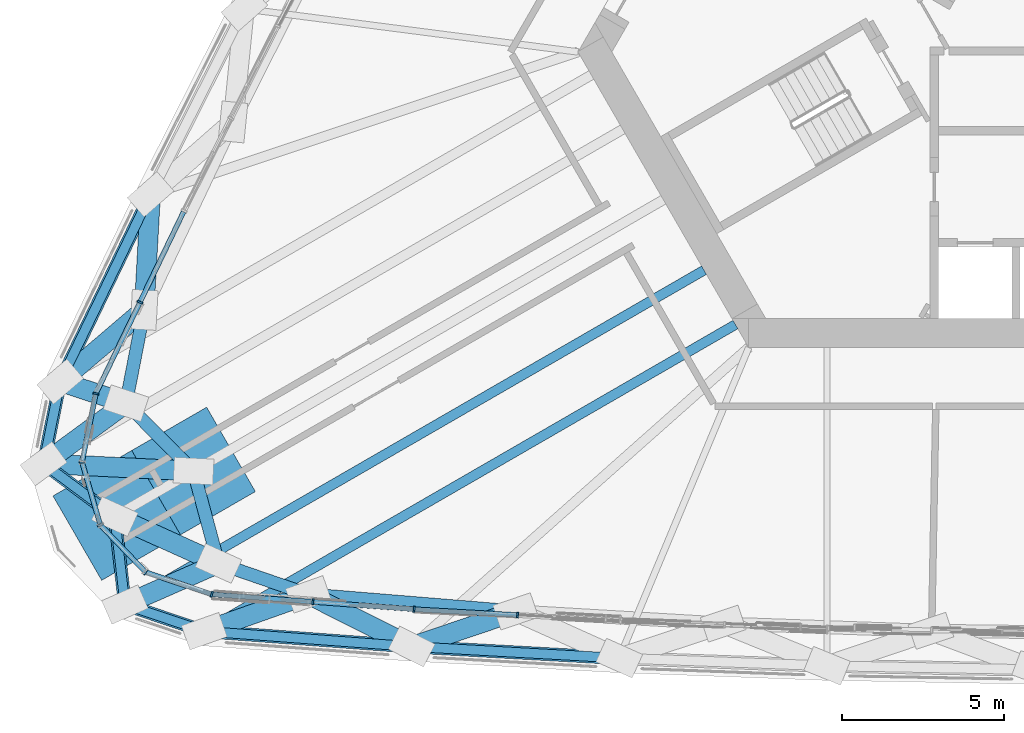
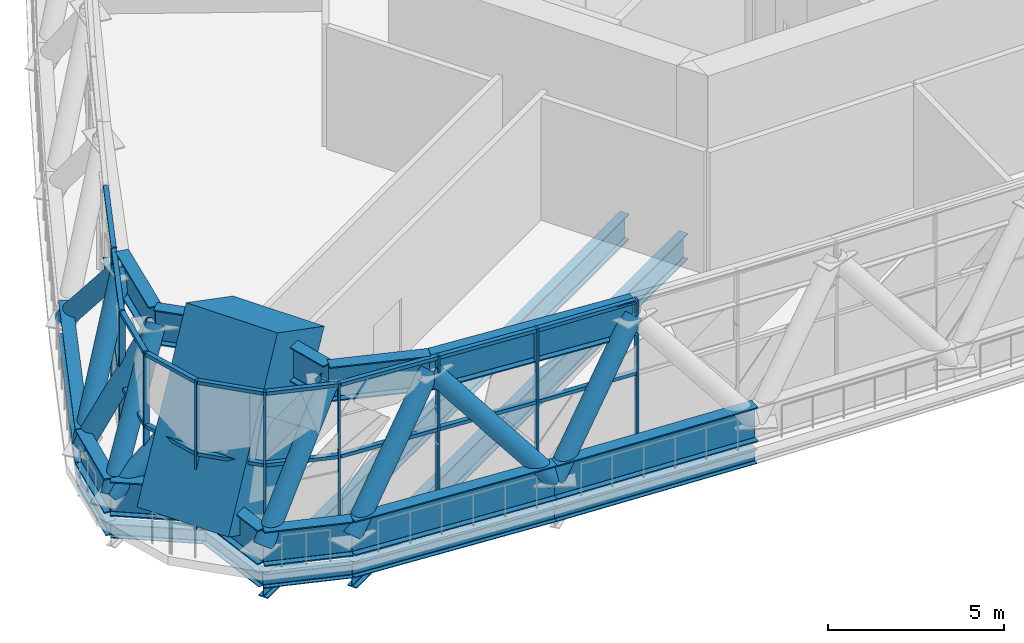
# One storey, part 1 of 43: 50 members, 9 beams, 3 elements without a shape of their own.
"""IFC4 building model written with IfcOpenShell, lengths in metres."""

import ifcopenshell
import ifcopenshell.guid

model = None  # the IFC model being written
_history = None  # IfcOwnerHistory: only IFC2X3 demands one
_inside = {}  # id of a spatial element -> (the spatial element, [elements in it])
_under = {}  # id of a project, library or spatial element -> (it, [spatial elements below it])
_declared = {}  # id of a project -> (the project, [libraries it declares])
_typed = {}  # id of a type object -> (the type object, [elements of that type])
_made_of = {}  # id of a material, layer set ... -> (it, [elements and type objects made of it])


def new_model(schema):
    """Start an empty IFC model of exactly this schema.

    Asked for "IFC4X3", IfcOpenShell would pick the latest addendum, in which some entities
    have other attributes; the version numbers below select the first issue.
    IFC2X3 requires an IfcOwnerHistory on every rooted entity: one is made here for all.
    """
    global model, _history
    if schema == "IFC4X3":
        model = ifcopenshell.file(schema_version=(4, 3, 0, 0))
    else:
        model = ifcopenshell.file(schema=schema)
    _inside.clear()
    _under.clear()
    _declared.clear()
    _typed.clear()
    _made_of.clear()
    _history = None
    if model.schema == "IFC2X3":
        org = make("IfcOrganization", Name="unknown")
        user = make(
            "IfcPersonAndOrganization",
            ThePerson=make("IfcPerson", FamilyName="unknown"),
            TheOrganization=org,
        )
        app = make(
            "IfcApplication",
            ApplicationDeveloper=org,
            Version="unknown",
            ApplicationFullName="unknown",
            ApplicationIdentifier="unknown",
        )
        _history = make(
            "IfcOwnerHistory",
            OwningUser=user,
            OwningApplication=app,
            ChangeAction="ADDED",
            CreationDate=0,
        )
    return model


def make(cls, **values):
    """One entity of the class cls with the attributes given. An attribute that is None is left unset."""
    return model.create_entity(
        cls, **{name: value for name, value in values.items() if value is not None}
    )


def rooted(cls, **values):
    """An entity with a GlobalId (a new one), such as an element, a storey or a relation."""
    return make(cls, GlobalId=ifcopenshell.guid.new(), OwnerHistory=_history, **values)


def si_unit(unit_type, name, prefix=None):
    """IfcSIUnit, for example si_unit("LENGTHUNIT", "METRE", prefix="MILLI")."""
    return make("IfcSIUnit", UnitType=unit_type, Prefix=prefix, Name=name)


def assignment(units):
    """IfcUnitAssignment: the units of a project."""
    return None if units is None else make("IfcUnitAssignment", Units=units)


def point(xyz):
    """IfcCartesianPoint."""
    return None if xyz is None else make("IfcCartesianPoint", Coordinates=xyz)


def direction(xyz):
    """IfcDirection."""
    return None if xyz is None else make("IfcDirection", DirectionRatios=xyz)


def frame(location, z_axis=None, x_axis=None):
    """IfcAxis2Placement3D, a coordinate frame: its origin and axes. An axis left out is left unset."""
    return make(
        "IfcAxis2Placement3D",
        Location=point(location),
        Axis=direction(z_axis),
        RefDirection=direction(x_axis),
    )


def frame_2d(location, x_axis=None):
    """IfcAxis2Placement2D, a coordinate frame in the plane: its origin and x axis."""
    return make(
        "IfcAxis2Placement2D", Location=point(location), RefDirection=direction(x_axis)
    )


def origin():
    """The frame at (0, 0, 0) with its axes left unset."""
    return frame((0.0, 0.0, 0.0))


def origin_2d():
    """The frame at (0, 0) in the plane with its x axis left unset."""
    return frame_2d((0.0, 0.0))


def place(relative_to, where):
    """IfcLocalPlacement: puts the frame where relative to a parent placement (None: the world)."""
    return make(
        "IfcLocalPlacement", PlacementRelTo=relative_to, RelativePlacement=where
    )


def context(
    kind, dimensions, precision=None, world=None, true_north=None, identifier=None
):
    """IfcGeometricRepresentationContext, for example the 3D "Model" context."""
    return make(
        "IfcGeometricRepresentationContext",
        ContextIdentifier=identifier,
        ContextType=kind,
        CoordinateSpaceDimension=dimensions,
        Precision=precision,
        WorldCoordinateSystem=world,
        TrueNorth=true_north,
    )


def subcontext(parent, identifier, kind, view, scale=None):
    """IfcGeometricRepresentationSubContext, for example "Body" below "Model"."""
    return make(
        "IfcGeometricRepresentationSubContext",
        ContextIdentifier=identifier,
        ContextType=kind,
        ParentContext=parent,
        TargetScale=scale,
        TargetView=view,
    )


def project(units=None, contexts=None):
    """IfcProject with its units and contexts."""
    return rooted(
        "IfcProject",
        Name="project",
        RepresentationContexts=contexts,
        UnitsInContext=assignment(units),
    )


def spatial(cls, under=None, at=None, **own):
    """A site, building, storey or space (cls), placed at a placement, below another one or the project."""
    s = rooted(cls, ObjectPlacement=at, **own)
    if under is not None:
        _under.setdefault(under.id(), (under, []))[1].append(s)
    return s


def profile(cls, at=None, kind="AREA", **sizes):
    """A parametric profile (cls). Its sizes go by their IFC names, for example OverallWidth=200.0."""
    return make(cls, ProfileType=kind, Position=at, **sizes)


def rectangle(**sizes):
    """IfcRectangleProfileDef."""
    return profile("IfcRectangleProfileDef", **sizes)


def hollow_circle(**sizes):
    """IfcCircleHollowProfileDef."""
    return profile("IfcCircleHollowProfileDef", **sizes)


def i_section(**sizes):
    """IfcIShapeProfileDef."""
    return profile("IfcIShapeProfileDef", **sizes)


def extrude(swept, where, along, depth):
    """IfcExtrudedAreaSolid: the profile swept, set in the frame where, extruded along a direction by depth."""
    return make(
        "IfcExtrudedAreaSolid",
        SweptArea=swept,
        Position=where,
        ExtrudedDirection=direction(along),
        Depth=depth,
    )


def shape(context_of_items, identifier, shape_type, items):
    """IfcShapeRepresentation: the items that make up one representation, for example the "Body"."""
    return make(
        "IfcShapeRepresentation",
        ContextOfItems=context_of_items,
        RepresentationIdentifier=identifier,
        RepresentationType=shape_type,
        Items=items,
    )


def material(Name=None, Category=None):
    """IfcMaterial."""
    return make("IfcMaterial", Name=Name, Category=Category)


def material_profile(
    of_material, cross_section, Name=None, Category=None, Priority=None
):
    """IfcMaterialProfile: a cross section and its material."""
    return make(
        "IfcMaterialProfile",
        Name=Name,
        Material=of_material,
        Profile=cross_section,
        Priority=Priority,
        Category=Category,
    )


def profile_set(profiles, Name=None, composite=None):
    """IfcMaterialProfileSet."""
    return make(
        "IfcMaterialProfileSet",
        Name=Name,
        MaterialProfiles=profiles,
        CompositeProfile=composite,
    )


def made_of(thing, what):
    """Note that an element or type object is made of a material, layer set ...; save() writes the relation."""
    if what is not None:
        _made_of.setdefault(what.id(), (what, []))[1].append(thing)
    return thing


def type_object(cls, material=None, **own):
    """A type object (cls), such as IfcWallType, which elements share."""
    return made_of(rooted(cls, **own), material)


def element(
    cls,
    number,
    at=None,
    inside=None,
    cuts=None,
    type_object=None,
    material=None,
    context=None,
    identifier="Body",
    shape_type=None,
    held_by="IfcProductDefinitionShape",
    body=None,
    shapes=None,
    **own,
):
    """One element of the class cls, such as IfcWall. Its Tag is "e" and its number.

    at: its placement. inside: the storey or other place that contains it. cuts: it is an
    opening in that element (IfcRelVoidsElement). A single representation is given by context,
    identifier, shape_type and body (its items); several are given by shapes. held_by: the class
    of the entity that holds the representations. save() writes the other relations.
    """
    e = rooted(cls, Tag="e%d" % number, ObjectPlacement=at, **own)
    if body is not None:
        shapes = [shape(context, identifier, shape_type, body)]
    if shapes is not None:
        e.Representation = make(held_by, Representations=shapes)
    if inside is not None:
        _inside.setdefault(inside.id(), (inside, []))[1].append(e)
    if cuts is not None:
        rooted(
            "IfcRelVoidsElement", RelatingBuildingElement=cuts, RelatedOpeningElement=e
        )
    if type_object is not None:
        _typed.setdefault(type_object.id(), (type_object, []))[1].append(e)
    return made_of(e, material)


def aggregate(whole, parts):
    """IfcRelAggregates: a whole, such as a stair, and the parts it consists of."""
    return rooted("IfcRelAggregates", RelatingObject=whole, RelatedObjects=parts)


def save(model, path):
    """Write the relations noted so far, then the file.

    IfcRelAggregates (storeys below a building ...), IfcRelContainedInSpatialStructure (elements
    in a storey), IfcRelDefinesByType, IfcRelAssociatesMaterial and IfcRelDeclares: one each for
    every whole, place, type object, material and project.
    """
    for whole, parts in _under.values():
        aggregate(whole, parts)
    for where, things in _inside.values():
        rooted(
            "IfcRelContainedInSpatialStructure",
            RelatedElements=things,
            RelatingStructure=where,
        )
    for kind, things in _typed.values():
        rooted("IfcRelDefinesByType", RelatedObjects=things, RelatingType=kind)
    for what, things in _made_of.values():
        rooted("IfcRelAssociatesMaterial", RelatedObjects=things, RelatingMaterial=what)
    for by, libraries in _declared.values():
        rooted("IfcRelDeclares", RelatingContext=by, RelatedDefinitions=libraries)
    model.write(path)


model = new_model("IFC4")

# Units and contexts
model_context = context("Model", 3, precision=1e-05, world=origin(), true_north=direction((0.0, 1.0)))
body_context = subcontext(model_context, "Body", "Model", "MODEL_VIEW")
ifc_project = project(units=[si_unit("LENGTHUNIT", "METRE"), si_unit("AREAUNIT", "SQUARE_METRE"), si_unit("VOLUMEUNIT", "CUBIC_METRE"), si_unit("PLANEANGLEUNIT", "RADIAN"), si_unit("MASSUNIT", "GRAM", prefix="KILO")], contexts=[model_context])

# Site, building, storey
site_placement = place(None, origin())
site = spatial("IfcSite", under=ifc_project, at=site_placement, CompositionType="ELEMENT")
building_placement = place(site_placement, origin())
building = spatial("IfcBuilding", under=site, at=building_placement, Name="Mestral Congress Tower", CompositionType="ELEMENT")
storey_placement = place(building_placement, frame((0.0, 0.0, 78.300048828125)))
storey = spatial("IfcBuildingStorey", under=building, at=storey_placement, Name="L18", CompositionType="ELEMENT", Elevation=78.300048828125)

# Members
ifc_material_1 = material(Name="Steel S355", Category="steel")
ifc_material_profile_1 = material_profile(ifc_material_1, i_section(OverallWidth=0.39990234375, OverallDepth=1.199951171875, WebThickness=0.02001953125, FlangeThickness=0.0400390625, FilletRadius=0.010009765625, at=origin_2d()), Name="WPG 1200")
ifc_profile_set_1 = profile_set([ifc_material_profile_1], Name="Steel S355")
member_type_1 = type_object("IfcMemberType", Name="Belt chord WPG 1200 S355", PredefinedType="CHORD", material=ifc_profile_set_1)
for number, where, z_axis, x_axis, name in (
    (1, (-28.766845703125, -21.730712890625, 0.599853515625), (0.997266192922, -0.073892763204, 0.0), (0.073892763204, 0.997266192922, 0.0), "MB-L18-BC1-S00"),
    (2, (-22.384521484375, -22.20361328125, 0.599853515625), (0.998462699826, -0.055427764302, 0.0), (0.055427764302, 0.998462699826, 0.0), "MB-L18-BC1-S01"),
    (3, (-30.421142578125, -8.28369140625, 0.599853515625), (-0.434657317293, -0.900595923, 0.0), (0.900595923, -0.434657317293, 0.0), "MB-L18-BC1-W08"),
):
    element("IfcMember", number, at=place(storey_placement, frame(where, z_axis=z_axis, x_axis=x_axis)), inside=storey, type_object=member_type_1, Name=name, PredefinedType="CHORD", context=body_context, shape_type="SweptSolid", body=[
        extrude(i_section(OverallWidth=0.39990234375, OverallDepth=1.199951171875, WebThickness=0.02001953125, FlangeThickness=0.0400390625, FilletRadius=0.010009765625, at=origin_2d()), origin(), (0.0, 0.0, 1.0), 6.39990234375),
    ])
member_1_placement = place(storey_placement, frame((-33.202880859375, -14.04736328125, 0.599853515625), z_axis=(-0.198046458429, -0.980192634283, 0.0), x_axis=(0.980192634283, -0.198046458429, 0.0)))
element("IfcMember", 4, at=member_1_placement, inside=storey, type_object=member_type_1, Name="MB-L18-BC1-W09", PredefinedType="CHORD", context=body_context, shape_type="SweptSolid", body=[
    extrude(i_section(OverallWidth=0.39990234375, OverallDepth=1.199951171875, WebThickness=0.02001953125, FlangeThickness=0.0400390625, FilletRadius=0.010009765625, at=origin_2d()), origin(), (0.0, 0.0, 1.0), 2.57763671875),
])
for number, where, z_axis, x_axis, name in (
    (5, (-33.71337890625, -16.573974609375, 0.599853515625), (0.803103553896, -0.59583947647, 0.0), (0.59583947647, 0.803103553896, 0.0), "MB-L18-BC1-SW1"),
    (6, (-31.5224609375, -18.199462890625, 0.599853515625), (0.114457668102, -0.993428126345, 0.0), (0.993428126345, 0.114457668102, 0.0), "MB-L18-BC1-SW"),
):
    element("IfcMember", number, at=place(storey_placement, frame(where, z_axis=z_axis, x_axis=x_axis)), inside=storey, type_object=member_type_1, Name=name, PredefinedType="CHORD", context=body_context, shape_type="SweptSolid", body=[
        extrude(i_section(OverallWidth=0.39990234375, OverallDepth=1.199951171875, WebThickness=0.02001953125, FlangeThickness=0.0400390625, FilletRadius=0.010009765625, at=origin_2d()), origin(), (0.0, 0.0, 1.0), 2.72802734375),
    ])
member_2_placement = place(storey_placement, frame((-31.210205078125, -20.90966796875, 0.599853515625), z_axis=(0.947913310096, -0.318528423446, 0.0), x_axis=(0.318528423446, 0.947913310096, 0.0)))
element("IfcMember", 7, at=member_2_placement, inside=storey, type_object=member_type_1, Name="MB-L18-BC1-SW3", PredefinedType="CHORD", context=body_context, shape_type="SweptSolid", body=[
    extrude(i_section(OverallWidth=0.39990234375, OverallDepth=1.199951171875, WebThickness=0.02001953125, FlangeThickness=0.0400390625, FilletRadius=0.010009765625, at=origin_2d()), origin(), (0.0, 0.0, 1.0), 2.57763671875),
])
member_3_placement = place(storey_placement, frame((-25.562744140625, -20.59716796875, 4.550048828125), z_axis=(0.996652784164, -0.081751011118, 0.0), x_axis=(0.081751011118, 0.996652784164, 0.0)))
element("IfcMember", 8, at=member_3_placement, inside=storey, type_object=member_type_1, Name="MB-L18-TC1-S00", PredefinedType="CHORD", context=body_context, shape_type="SweptSolid", body=[
    extrude(i_section(OverallWidth=0.39990234375, OverallDepth=1.199951171875, WebThickness=0.02001953125, FlangeThickness=0.0400390625, FilletRadius=0.010009765625, at=origin_2d()), origin(), (0.0, 0.0, 1.0), 6.39990234375),
])
member_4_placement = place(storey_placement, frame((-30.618896484375, -11.83935546875, 4.550048828125), z_axis=(-0.190501452066, -0.981686913818, 0.0), x_axis=(0.981686913818, -0.190501452066, 0.0)))
element("IfcMember", 9, at=member_4_placement, inside=storey, type_object=member_type_1, Name="MB-L18-TC1-W08", PredefinedType="CHORD", context=body_context, shape_type="SweptSolid", body=[
    extrude(i_section(OverallWidth=0.39990234375, OverallDepth=1.199951171875, WebThickness=0.02001953125, FlangeThickness=0.0400390625, FilletRadius=0.010009765625, at=origin_2d()), origin(), (0.0, 0.0, 1.0), 2.928466796875),
])
member_5_placement = place(storey_placement, frame((-31.1767578125, -14.714111328125, 4.550048828125), z_axis=(0.706152774218, -0.708059502771, 0.0), x_axis=(0.708059502771, 0.706152774218, 0.0)))
element("IfcMember", 10, at=member_5_placement, inside=storey, type_object=member_type_1, Name="MB-L18-TC1-SW1", PredefinedType="CHORD", context=body_context, shape_type="SweptSolid", body=[
    extrude(i_section(OverallWidth=0.39990234375, OverallDepth=1.199951171875, WebThickness=0.02001953125, FlangeThickness=0.0400390625, FilletRadius=0.010009765625, at=origin_2d()), origin(), (0.0, 0.0, 1.0), 2.945068359375),
])
member_6_placement = place(storey_placement, frame((-29.09716796875, -16.79931640625, 4.550048828125), z_axis=(0.260071585357, -0.96558933843, 0.0), x_axis=(0.96558933843, 0.260071585357, 0.0)))
element("IfcMember", 11, at=member_6_placement, inside=storey, type_object=member_type_1, Name="MB-L18-TC1-SW", PredefinedType="CHORD", context=body_context, shape_type="SweptSolid", body=[
    extrude(i_section(OverallWidth=0.39990234375, OverallDepth=1.199951171875, WebThickness=0.02001953125, FlangeThickness=0.0400390625, FilletRadius=0.010009765625, at=origin_2d()), origin(), (0.0, 0.0, 1.0), 2.94482421875),
])
member_7_placement = place(storey_placement, frame((-28.331298828125, -19.642822265625, 4.550048828125), z_axis=(0.945407528936, -0.32589047889, 0.0), x_axis=(0.32589047889, 0.945407528936, 0.0)))
element("IfcMember", 12, at=member_7_placement, inside=storey, type_object=member_type_1, Name="MB-L18-TC1-SW3", PredefinedType="CHORD", context=body_context, shape_type="SweptSolid", body=[
    extrude(i_section(OverallWidth=0.39990234375, OverallDepth=1.199951171875, WebThickness=0.02001953125, FlangeThickness=0.0400390625, FilletRadius=0.010009765625, at=origin_2d()), origin(), (0.0, 0.0, 1.0), 2.928466796875),
])
ifc_material_profile_2 = material_profile(ifc_material_1, hollow_circle(Radius=0.304931640625, WallThickness=0.02490234375, at=origin_2d()), Name="CHS 610x25")
ifc_profile_set_2 = profile_set([ifc_material_profile_2], Name="Steel S355")
member_type_2 = type_object("IfcMemberType", Name="Belt diagonal CHS 610x25 S355", PredefinedType="BRACE", material=ifc_profile_set_2)
member_8_placement = place(storey_placement, frame((-28.766845703125, -21.730712890625, 0.599853515625), z_axis=(0.614864613856, 0.217526394554, 0.758039427932), x_axis=(-0.33352266691, 0.942742080665, 0.0)))
element("IfcMember", 13, at=member_8_placement, inside=storey, type_object=member_type_2, Name="MD-L18-BD1-S00.S00", PredefinedType="BRACE", context=body_context, shape_type="SweptSolid", body=[
    extrude(hollow_circle(Radius=0.304931640625, WallThickness=0.02490234375, at=origin_2d()), origin(), (0.0, 0.0, 1.0), 5.211181640625),
])
member_9_placement = place(storey_placement, frame((-22.384521484375, -22.20361328125, 0.599853515625), z_axis=(-0.597585455205, 0.302051950779, 0.742735647965), x_axis=(-0.451103380277, -0.892471702802, 0.0)))
element("IfcMember", 14, at=member_9_placement, inside=storey, type_object=member_type_2, Name="MD-L18-BD1-S01.S00", PredefinedType="BRACE", context=body_context, shape_type="SweptSolid", body=[
    extrude(hollow_circle(Radius=0.304931640625, WallThickness=0.02490234375, at=origin_2d()), origin(), (0.0, 0.0, 1.0), 5.318359375),
])
member_10_placement = place(storey_placement, frame((-22.384521484375, -22.20361328125, 0.599853515625), z_axis=(0.61566439236, 0.208399672635, 0.759951927707), x_axis=(-0.320625100325, 0.947206178739, 0.0)))
element("IfcMember", 15, at=member_10_placement, inside=storey, type_object=member_type_2, Name="MD-L18-BD1-S01.S01", PredefinedType="BRACE", context=body_context, shape_type="SweptSolid", body=[
    extrude(hollow_circle(Radius=0.304931640625, WallThickness=0.02490234375, at=origin_2d()), origin(), (0.0, 0.0, 1.0), 5.197998046875),
])
member_11_placement = place(storey_placement, frame((-30.421142578125, -8.28369140625, 0.599853515625), z_axis=(-0.037182629283, -0.668552855401, 0.742734496044), x_axis=(0.998456976268, -0.055530771133, 0.0)))
element("IfcMember", 16, at=member_11_placement, inside=storey, type_object=member_type_2, Name="MD-L18-BD1-W08.W08", PredefinedType="BRACE", context=body_context, shape_type="SweptSolid", body=[
    extrude(hollow_circle(Radius=0.304931640625, WallThickness=0.02490234375, at=origin_2d()), origin(), (0.0, 0.0, 1.0), 5.318359375),
])
member_12_placement = place(storey_placement, frame((-33.202880859375, -14.04736328125, 0.599853515625), z_axis=(0.495854718562, 0.423706545226, 0.758024314658), x_axis=(-0.649631192766, 0.760249507323, 0.0)))
element("IfcMember", 17, at=member_12_placement, inside=storey, type_object=member_type_2, Name="MD-L18-BD1-W09.W08", PredefinedType="BRACE", context=body_context, shape_type="SweptSolid", body=[
    extrude(hollow_circle(Radius=0.304931640625, WallThickness=0.02490234375, at=origin_2d()), origin(), (0.0, 0.0, 1.0), 5.211181640625),
])
member_13_placement = place(storey_placement, frame((-33.202880859375, -14.04736328125, 0.599853515625), z_axis=(0.451323202901, -0.148519540562, 0.87991437799), x_axis=(0.312585664094, 0.949889573899, 0.0)))
element("IfcMember", 18, at=member_13_placement, inside=storey, type_object=member_type_2, Name="MD-L18-BD1-W09.SW1", PredefinedType="BRACE", context=body_context, shape_type="SweptSolid", body=[
    extrude(hollow_circle(Radius=0.304931640625, WallThickness=0.02490234375, at=origin_2d()), origin(), (0.0, 0.0, 1.0), 4.4892578125),
])
member_14_placement = place(storey_placement, frame((-33.71337890625, -16.573974609375, 0.599853515625), z_axis=(0.502349656336, 0.368325282192, 0.782292342591), x_axis=(-0.591296362447, 0.806454345737, 0.0)))
element("IfcMember", 19, at=member_14_placement, inside=storey, type_object=member_type_2, Name="MD-L18-BD1-SW1.SW1", PredefinedType="BRACE", context=body_context, shape_type="SweptSolid", body=[
    extrude(hollow_circle(Radius=0.304931640625, WallThickness=0.02490234375, at=origin_2d()), origin(), (0.0, 0.0, 1.0), 5.049560546875),
])
member_15_placement = place(storey_placement, frame((-33.71337890625, -16.573974609375, 0.599853515625), z_axis=(0.759267553293, -0.037063885746, 0.649722287512), x_axis=(0.048757258144, 0.998810657621, 0.0)))
element("IfcMember", 20, at=member_15_placement, inside=storey, type_object=member_type_2, Name="MD-L18-BD1-SW1.SW", PredefinedType="BRACE", context=body_context, shape_type="SweptSolid", body=[
    extrude(hollow_circle(Radius=0.304931640625, WallThickness=0.02490234375, at=origin_2d()), origin(), (0.0, 0.0, 1.0), 6.079833984375),
])
member_16_placement = place(storey_placement, frame((-31.5224609375, -18.199462890625, 0.599853515625), z_axis=(0.604468674769, -0.273400566539, 0.748244446313), x_axis=(0.412105870963, 0.911135967415, 0.0)))
element("IfcMember", 21, at=member_16_placement, inside=storey, type_object=member_type_2, Name="MD-L18-BD1-SW.SW3", PredefinedType="BRACE", context=body_context, shape_type="SweptSolid", body=[
    extrude(hollow_circle(Radius=0.304931640625, WallThickness=0.02490234375, at=origin_2d()), origin(), (0.0, 0.0, 1.0), 5.279296875),
])
member_17_placement = place(storey_placement, frame((-31.210205078125, -20.90966796875, 0.599853515625), z_axis=(0.570141456474, 0.250887382772, 0.782300607679), x_axis=(-0.402772429864, 0.915300152814, 0.0)))
element("IfcMember", 22, at=member_17_placement, inside=storey, type_object=member_type_2, Name="MD-L18-BD1-SW3.SW3", PredefinedType="BRACE", context=body_context, shape_type="SweptSolid", body=[
    extrude(hollow_circle(Radius=0.304931640625, WallThickness=0.02490234375, at=origin_2d()), origin(), (0.0, 0.0, 1.0), 5.049560546875),
])

# Curtain wall, members
ifc_material_2 = material(Name="Clear low-emissivity double glazing", Category="glass")
curtain_wall_type = type_object("IfcCurtainWallType", Name="Facade refuge band screen", PredefinedType="USERDEFINED", material=ifc_material_2)
placement = place(storey_placement, origin())
curtain_wall_1 = element("IfcCurtainWall", 23, at=placement, inside=storey, type_object=curtain_wall_type, Name="Facade refuge band screen face 1", ObjectType="CURTAIN WALL", PredefinedType="USERDEFINED")
ifc_material_3 = material(Name="Anodised aluminium", Category="aluminium")
ifc_material_profile_3 = material_profile(ifc_material_3, rectangle(XDim=0.179931640625, YDim=0.06005859375, at=origin_2d()), Name="CW3 mullion 180 x 60")
ifc_profile_set_3 = profile_set([ifc_material_profile_3], Name="Anodised aluminium")
member_type_3 = type_object("IfcMemberType", Name="Facade refuge band screen mullion", PredefinedType="MULLION", material=ifc_profile_set_3)
member_18_placement = place(storey_placement, frame((-25.423828125, -20.8251953125, 0.0), z_axis=(0.0, 0.0, 1.0), x_axis=(-0.073878738281, -0.997267232005, 0.0)))
member_18 = element("IfcMember", 24, at=member_18_placement, type_object=member_type_3, Name="Facade refuge band screen mullion", PredefinedType="MULLION", context=body_context, shape_type="SweptSolid", body=[
    extrude(rectangle(XDim=0.179931640625, YDim=0.06005859375, at=origin_2d()), origin(), (0.0, 0.0, 1.0), 5.14990234375),
])
member_19_placement = place(storey_placement, frame((-22.31005859375, -21.055908203125, 0.0), z_axis=(0.0, 0.0, 1.0), x_axis=(-0.064657709518, -0.997907501024, 0.0)))
member_19 = element("IfcMember", 25, at=member_19_placement, type_object=member_type_3, Name="Facade refuge band screen mullion", PredefinedType="MULLION", context=body_context, shape_type="SweptSolid", body=[
    extrude(rectangle(XDim=0.179931640625, YDim=0.06005859375, at=origin_2d()), origin(), (0.0, 0.0, 1.0), 5.14990234375),
])
member_20_placement = place(storey_placement, frame((-19.12548828125, -21.232666015625, 0.0), z_axis=(0.0, 0.0, 1.0), x_axis=(-0.055431156574, -0.998462511505, 0.0)))
member_20 = element("IfcMember", 26, at=member_20_placement, type_object=member_type_3, Name="Facade refuge band screen mullion", PredefinedType="MULLION", context=body_context, shape_type="SweptSolid", body=[
    extrude(rectangle(XDim=0.179931640625, YDim=0.06005859375, at=origin_2d()), origin(), (0.0, 0.0, 1.0), 5.14990234375),
])

# Curtain wall, member
curtain_wall_2 = element("IfcCurtainWall", 27, at=placement, inside=storey, type_object=curtain_wall_type, Name="Facade refuge band screen face 3", ObjectType="CURTAIN WALL", PredefinedType="USERDEFINED")
member_21_placement = place(storey_placement, frame((-30.7470703125, -11.60498046875, 0.0), z_axis=(0.0, 0.0, 1.0), x_axis=(-0.900598126418, 0.434652751851, 0.0)))
member_21 = element("IfcMember", 28, at=member_21_placement, type_object=member_type_3, Name="Facade refuge band screen mullion", PredefinedType="MULLION", context=body_context, shape_type="SweptSolid", body=[
    extrude(rectangle(XDim=0.179931640625, YDim=0.06005859375, at=origin_2d()), origin(), (0.0, 0.0, 1.0), 5.14990234375),
])

# Curtain wall, members
curtain_wall_3 = element("IfcCurtainWall", 29, at=placement, inside=storey, type_object=curtain_wall_type, Name="Facade refuge band screen corner 3", ObjectType="CURTAIN WALL", PredefinedType="USERDEFINED")
member_22_placement = place(storey_placement, frame((-32.104248046875, -14.4169921875, 0.0), z_axis=(0.0, 0.0, 1.0), x_axis=(-0.980184145572, 0.198088467028, 0.0)))
member_22 = element("IfcMember", 30, at=member_22_placement, type_object=member_type_3, Name="Facade refuge band screen mullion", PredefinedType="MULLION", context=body_context, shape_type="SweptSolid", body=[
    extrude(rectangle(XDim=0.179931640625, YDim=0.06005859375, at=origin_2d()), origin(), (0.0, 0.0, 1.0), 5.14990234375),
])
member_23_placement = place(storey_placement, frame((-32.5302734375, -16.52490234375, 0.0), z_axis=(0.0, 0.0, 1.0), x_axis=(-0.999135065732, -0.041582693819, 0.0)))
member_23 = element("IfcMember", 31, at=member_23_placement, type_object=member_type_3, Name="Facade refuge band screen mullion", PredefinedType="MULLION", context=body_context, shape_type="SweptSolid", body=[
    extrude(rectangle(XDim=0.179931640625, YDim=0.06005859375, at=origin_2d()), origin(), (0.0, 0.0, 1.0), 5.14990234375),
])
member_24_placement = place(storey_placement, frame((-31.968994140625, -18.457275390625, 0.0), z_axis=(0.0, 0.0, 1.0), x_axis=(-0.866025403784, -0.5, 0.0)))
member_24 = element("IfcMember", 32, at=member_24_placement, type_object=member_type_3, Name="Facade refuge band screen mullion", PredefinedType="MULLION", context=body_context, shape_type="SweptSolid", body=[
    extrude(rectangle(XDim=0.179931640625, YDim=0.06005859375, at=origin_2d()), origin(), (0.0, 0.0, 1.0), 5.14990234375),
])
member_25_placement = place(storey_placement, frame((-30.575927734375, -19.90966796875, 0.0), z_axis=(0.0, 0.0, 1.0), x_axis=(-0.535579202071, -0.844485001826, 0.0)))
member_25 = element("IfcMember", 33, at=member_25_placement, type_object=member_type_3, Name="Facade refuge band screen mullion", PredefinedType="MULLION", context=body_context, shape_type="SweptSolid", body=[
    extrude(rectangle(XDim=0.179931640625, YDim=0.06005859375, at=origin_2d()), origin(), (0.0, 0.0, 1.0), 5.14990234375),
])
member_26_placement = place(storey_placement, frame((-28.53759765625, -20.594482421875, 0.0), z_axis=(0.0, 0.0, 1.0), x_axis=(-0.318542428143, -0.947908603966, 0.0)))
member_26 = element("IfcMember", 34, at=member_26_placement, type_object=member_type_3, Name="Facade refuge band screen mullion", PredefinedType="MULLION", context=body_context, shape_type="SweptSolid", body=[
    extrude(rectangle(XDim=0.179931640625, YDim=0.06005859375, at=origin_2d()), origin(), (0.0, 0.0, 1.0), 5.14990234375),
])

# Member
ifc_material_profile_4 = material_profile(ifc_material_3, rectangle(XDim=0.14990234375, YDim=0.1201171875, at=origin_2d()), Name="CW3 transom 150 x 120")
ifc_profile_set_4 = profile_set([ifc_material_profile_4], Name="Anodised aluminium")
member_type_4 = type_object("IfcMemberType", Name="Facade refuge band screen transom", PredefinedType="USERDEFINED", material=ifc_profile_set_4)
member_27_placement = place(storey_placement, frame((-28.5078125, -20.5966796875, 2.599853515625), z_axis=(0.997265796515, -0.073898112979, 0.0), x_axis=(0.073898112979, 0.997265796515, 0.0)))
member_27 = element("IfcMember", 35, at=member_27_placement, type_object=member_type_4, Name="Facade refuge band screen transom", ObjectType="TRANSOM", PredefinedType="USERDEFINED", context=body_context, shape_type="SweptSolid", body=[
    extrude(rectangle(XDim=0.14990234375, YDim=0.1201171875, at=origin_2d()), origin(), (0.0, 0.0, 1.0), 3.0625),
])

member_28_placement = place(storey_placement, frame((-28.5078125, -20.5966796875, 5.08984375), z_axis=(0.997265796515, -0.073898112979, 0.0), x_axis=(0.073898112979, 0.997265796515, 0.0)))
member_28 = element("IfcMember", 36, at=member_28_placement, type_object=member_type_4, Name="Facade refuge band screen transom", ObjectType="TRANSOM", PredefinedType="USERDEFINED", context=body_context, shape_type="SweptSolid", body=[
    extrude(rectangle(XDim=0.14990234375, YDim=0.1201171875, at=origin_2d()), origin(), (0.0, 0.0, 1.0), 3.0625),
])

member_29_placement = place(storey_placement, frame((-25.393798828125, -20.827392578125, 2.599853515625), z_axis=(0.997265361131, -0.07390398831, 0.0), x_axis=(0.07390398831, 0.997265361131, 0.0)))
member_29 = element("IfcMember", 37, at=member_29_placement, type_object=member_type_4, Name="Facade refuge band screen transom", ObjectType="TRANSOM", PredefinedType="USERDEFINED", context=body_context, shape_type="SweptSolid", body=[
    extrude(rectangle(XDim=0.14990234375, YDim=0.1201171875, at=origin_2d()), origin(), (0.0, 0.0, 1.0), 3.062255859375),
])

member_30_placement = place(storey_placement, frame((-25.393798828125, -20.827392578125, 5.08984375), z_axis=(0.997265361131, -0.07390398831, 0.0), x_axis=(0.07390398831, 0.997265361131, 0.0)))
member_30 = element("IfcMember", 38, at=member_30_placement, type_object=member_type_4, Name="Facade refuge band screen transom", ObjectType="TRANSOM", PredefinedType="USERDEFINED", context=body_context, shape_type="SweptSolid", body=[
    extrude(rectangle(XDim=0.14990234375, YDim=0.1201171875, at=origin_2d()), origin(), (0.0, 0.0, 1.0), 3.062255859375),
])

member_31_placement = place(storey_placement, frame((-22.280029296875, -21.0576171875, 2.599853515625), z_axis=(0.998460353205, -0.055470019623, 0.0), x_axis=(0.055470019623, 0.998460353205, 0.0)))
member_31 = element("IfcMember", 39, at=member_31_placement, type_object=member_type_4, Name="Facade refuge band screen transom", ObjectType="TRANSOM", PredefinedType="USERDEFINED", context=body_context, shape_type="SweptSolid", body=[
    extrude(rectangle(XDim=0.14990234375, YDim=0.1201171875, at=origin_2d()), origin(), (0.0, 0.0, 1.0), 3.12939453125),
])

member_32_placement = place(storey_placement, frame((-22.280029296875, -21.0576171875, 5.08984375), z_axis=(0.998460353205, -0.055470019623, 0.0), x_axis=(0.055470019623, 0.998460353205, 0.0)))
member_32 = element("IfcMember", 40, at=member_32_placement, type_object=member_type_4, Name="Facade refuge band screen transom", ObjectType="TRANSOM", PredefinedType="USERDEFINED", context=body_context, shape_type="SweptSolid", body=[
    extrude(rectangle(XDim=0.14990234375, YDim=0.1201171875, at=origin_2d()), origin(), (0.0, 0.0, 1.0), 3.12939453125),
])

aggregate(curtain_wall_1, [member_18, member_19, member_20, member_27, member_28, member_29, member_30, member_31, member_32])

member_33_placement = place(storey_placement, frame((-29.403076171875, -8.820068359375, 2.599853515625), z_axis=(-0.434668799446, -0.900590381244, 0.0), x_axis=(0.900590381244, -0.434668799446, 0.0)))
member_33 = element("IfcMember", 41, at=member_33_placement, type_object=member_type_4, Name="Facade refuge band screen transom", ObjectType="TRANSOM", PredefinedType="USERDEFINED", context=body_context, shape_type="SweptSolid", body=[
    extrude(rectangle(XDim=0.14990234375, YDim=0.1201171875, at=origin_2d()), origin(), (0.0, 0.0, 1.0), 3.062255859375),
])

member_34_placement = place(storey_placement, frame((-29.403076171875, -8.820068359375, 5.08984375), z_axis=(-0.434668799446, -0.900590381244, 0.0), x_axis=(0.900590381244, -0.434668799446, 0.0)))
member_34 = element("IfcMember", 42, at=member_34_placement, type_object=member_type_4, Name="Facade refuge band screen transom", ObjectType="TRANSOM", PredefinedType="USERDEFINED", context=body_context, shape_type="SweptSolid", body=[
    extrude(rectangle(XDim=0.14990234375, YDim=0.1201171875, at=origin_2d()), origin(), (0.0, 0.0, 1.0), 3.062255859375),
])

member_35_placement = place(storey_placement, frame((-30.76025390625, -11.632080078125, 2.599853515625), z_axis=(-0.434668799446, -0.900590381244, 0.0), x_axis=(0.900590381244, -0.434668799446, 0.0)))
member_35 = element("IfcMember", 43, at=member_35_placement, type_object=member_type_4, Name="Facade refuge band screen transom", ObjectType="TRANSOM", PredefinedType="USERDEFINED", context=body_context, shape_type="SweptSolid", body=[
    extrude(rectangle(XDim=0.14990234375, YDim=0.1201171875, at=origin_2d()), origin(), (0.0, 0.0, 1.0), 3.062255859375),
])

member_36_placement = place(storey_placement, frame((-30.76025390625, -11.632080078125, 5.08984375), z_axis=(-0.434668799446, -0.900590381244, 0.0), x_axis=(0.900590381244, -0.434668799446, 0.0)))
member_36 = element("IfcMember", 44, at=member_36_placement, type_object=member_type_4, Name="Facade refuge band screen transom", ObjectType="TRANSOM", PredefinedType="USERDEFINED", context=body_context, shape_type="SweptSolid", body=[
    extrude(rectangle(XDim=0.14990234375, YDim=0.1201171875, at=origin_2d()), origin(), (0.0, 0.0, 1.0), 3.062255859375),
])

aggregate(curtain_wall_2, [member_21, member_33, member_34, member_35, member_36])

member_37_placement = place(storey_placement, frame((-32.110107421875, -14.4462890625, 2.599853515625), z_axis=(-0.198181872235, -0.98016526439, 0.0), x_axis=(0.98016526439, -0.198181872235, 0.0)))
member_37 = element("IfcMember", 45, at=member_37_placement, type_object=member_type_4, Name="Facade refuge band screen transom", ObjectType="TRANSOM", PredefinedType="USERDEFINED", context=body_context, shape_type="SweptSolid", body=[
    extrude(rectangle(XDim=0.14990234375, YDim=0.1201171875, at=origin_2d()), origin(), (0.0, 0.0, 1.0), 2.090576171875),
])

member_38_placement = place(storey_placement, frame((-32.110107421875, -14.4462890625, 5.08984375), z_axis=(-0.198181872235, -0.98016526439, 0.0), x_axis=(0.98016526439, -0.198181872235, 0.0)))
member_38 = element("IfcMember", 46, at=member_38_placement, type_object=member_type_4, Name="Facade refuge band screen transom", ObjectType="TRANSOM", PredefinedType="USERDEFINED", context=body_context, shape_type="SweptSolid", body=[
    extrude(rectangle(XDim=0.14990234375, YDim=0.1201171875, at=origin_2d()), origin(), (0.0, 0.0, 1.0), 2.090576171875),
])

member_39_placement = place(storey_placement, frame((-32.52197265625, -16.5537109375, 2.599853515625), z_axis=(0.27899621095, -0.960292202549, 0.0), x_axis=(0.960292202549, 0.27899621095, 0.0)))
member_39 = element("IfcMember", 47, at=member_39_placement, type_object=member_type_4, Name="Facade refuge band screen transom", ObjectType="TRANSOM", PredefinedType="USERDEFINED", context=body_context, shape_type="SweptSolid", body=[
    extrude(rectangle(XDim=0.14990234375, YDim=0.1201171875, at=origin_2d()), origin(), (0.0, 0.0, 1.0), 1.952392578125),
])

member_40_placement = place(storey_placement, frame((-32.52197265625, -16.5537109375, 5.08984375), z_axis=(0.27899621095, -0.960292202549, 0.0), x_axis=(0.960292202549, 0.27899621095, 0.0)))
member_40 = element("IfcMember", 48, at=member_40_placement, type_object=member_type_4, Name="Facade refuge band screen transom", ObjectType="TRANSOM", PredefinedType="USERDEFINED", context=body_context, shape_type="SweptSolid", body=[
    extrude(rectangle(XDim=0.14990234375, YDim=0.1201171875, at=origin_2d()), origin(), (0.0, 0.0, 1.0), 1.952392578125),
])

member_41_placement = place(storey_placement, frame((-31.9482421875, -18.47900390625, 2.599853515625), z_axis=(0.692261069509, -0.721647151759, 0.0), x_axis=(0.721647151759, 0.692261069509, 0.0)))
member_41 = element("IfcMember", 49, at=member_41_placement, type_object=member_type_4, Name="Facade refuge band screen transom", ObjectType="TRANSOM", PredefinedType="USERDEFINED", context=body_context, shape_type="SweptSolid", body=[
    extrude(rectangle(XDim=0.14990234375, YDim=0.1201171875, at=origin_2d()), origin(), (0.0, 0.0, 1.0), 1.952392578125),
])

member_42_placement = place(storey_placement, frame((-31.9482421875, -18.47900390625, 5.08984375), z_axis=(0.692261069509, -0.721647151759, 0.0), x_axis=(0.721647151759, 0.692261069509, 0.0)))
member_42 = element("IfcMember", 50, at=member_42_placement, type_object=member_type_4, Name="Facade refuge band screen transom", ObjectType="TRANSOM", PredefinedType="USERDEFINED", context=body_context, shape_type="SweptSolid", body=[
    extrude(rectangle(XDim=0.14990234375, YDim=0.1201171875, at=origin_2d()), origin(), (0.0, 0.0, 1.0), 1.952392578125),
])

member_43_placement = place(storey_placement, frame((-30.547607421875, -19.919189453125, 2.599853515625), z_axis=(0.947897972569, -0.318574062975, 0.0), x_axis=(0.318574062975, 0.947897972569, 0.0)))
member_43 = element("IfcMember", 51, at=member_43_placement, type_object=member_type_4, Name="Facade refuge band screen transom", ObjectType="TRANSOM", PredefinedType="USERDEFINED", context=body_context, shape_type="SweptSolid", body=[
    extrude(rectangle(XDim=0.14990234375, YDim=0.1201171875, at=origin_2d()), origin(), (0.0, 0.0, 1.0), 2.090576171875),
])

member_44_placement = place(storey_placement, frame((-30.547607421875, -19.919189453125, 5.08984375), z_axis=(0.947897972569, -0.318574062975, 0.0), x_axis=(0.318574062975, 0.947897972569, 0.0)))
member_44 = element("IfcMember", 52, at=member_44_placement, type_object=member_type_4, Name="Facade refuge band screen transom", ObjectType="TRANSOM", PredefinedType="USERDEFINED", context=body_context, shape_type="SweptSolid", body=[
    extrude(rectangle(XDim=0.14990234375, YDim=0.1201171875, at=origin_2d()), origin(), (0.0, 0.0, 1.0), 2.090576171875),
])

aggregate(curtain_wall_3, [member_22, member_23, member_24, member_25, member_26, member_37, member_38, member_39, member_40, member_41, member_42, member_43, member_44])

# Beams
ifc_material_profile_5 = material_profile(ifc_material_1, i_section(OverallWidth=0.300048828125, OverallDepth=0.89990234375, WebThickness=0.0185546875, FlangeThickness=0.034912109375, FilletRadius=0.030029296875, at=origin_2d()), Name="HEB 900")
ifc_profile_set_5 = profile_set([ifc_material_profile_5], Name="Steel S355")
beam_type_1 = type_object("IfcBeamType", Name="Floor beam HEB 900 S355", PredefinedType="BEAM", material=ifc_profile_set_5)
beam_1_placement = place(storey_placement, frame((-28.766845703125, -21.730712890625, -0.75), z_axis=(0.86603009716, 0.499991870746, 0.0), x_axis=(-0.499991870746, 0.86603009716, 0.0)))
element("IfcBeam", 53, at=beam_1_placement, inside=storey, type_object=beam_type_1, Name="BM-L18-RB1-S00", PredefinedType="BEAM", context=body_context, shape_type="SweptSolid", body=[
    extrude(i_section(OverallWidth=0.300048828125, OverallDepth=0.89990234375, WebThickness=0.0185546875, FlangeThickness=0.034912109375, FilletRadius=0.030029296875, at=origin_2d()), origin(), (0.0, 0.0, 1.0), 18.878173828125),
])
beam_2_placement = place(storey_placement, frame((-31.210205078125, -20.90966796875, -0.75), z_axis=(0.866026584559, 0.499997954832, 0.0), x_axis=(-0.499997954832, 0.866026584559, 0.0)))
element("IfcBeam", 54, at=beam_2_placement, inside=storey, type_object=beam_type_1, Name="BM-L18-RB1-SW3", PredefinedType="BEAM", context=body_context, shape_type="SweptSolid", body=[
    extrude(i_section(OverallWidth=0.300048828125, OverallDepth=0.89990234375, WebThickness=0.0185546875, FlangeThickness=0.034912109375, FilletRadius=0.030029296875, at=origin_2d()), origin(), (0.0, 0.0, 1.0), 20.58349609375),
])

# Member
ifc_material_4 = material(Name="Concrete C80/95", Category="concrete")
ifc_material_profile_6 = material_profile(ifc_material_4, rectangle(XDim=3.0, YDim=3.0, at=origin_2d()), Name="RC 3000x3000")
ifc_profile_set_6 = profile_set([ifc_material_profile_6], Name="Concrete C80/95")
member_type_5 = type_object("IfcMemberType", Name="Pylon shift strut RC 3000x3000 C80/95", PredefinedType="STRUT", material=ifc_profile_set_6)
member_45_placement = place(storey_placement, frame((-31.5224609375, -18.199462890625, 0.0), z_axis=(0.39870815693, 0.230178304811, 0.887721664483), x_axis=(-0.499974004562, 0.866040411738, 0.0)))
element("IfcMember", 55, at=member_45_placement, inside=storey, type_object=member_type_5, Name="MS-L18-PS1-SW", PredefinedType="STRUT", context=body_context, shape_type="SweptSolid", body=[
    extrude(rectangle(XDim=3.0, YDim=3.0, at=origin_2d()), origin(), (0.0, 0.0, 1.0), 6.082763671875),
])

# Beams
ifc_material_profile_7 = material_profile(ifc_material_1, i_section(OverallWidth=0.300048828125, OverallDepth=0.489990234375, WebThickness=0.011962890625, FlangeThickness=0.02294921875, FilletRadius=0.027099609375, at=origin_2d()), Name="HEA 500")
ifc_profile_set_7 = profile_set([ifc_material_profile_7], Name="Steel S355")
beam_type_2 = type_object("IfcBeamType", Name="Spandrel beam HEA 500 S355", PredefinedType="BEAM", material=ifc_profile_set_7)
for number, where, z_axis, x_axis, name in (
    (56, (-28.766845703125, -21.730712890625, -0.545166015625), (0.997266192922, -0.073892763204, 0.0), (0.073892763204, 0.997266192922, 0.0), "SP-L18-SB1-S00"),
    (57, (-22.384521484375, -22.20361328125, -0.545166015625), (0.998462699826, -0.055427764302, 0.0), (0.055427764302, 0.998462699826, 0.0), "SP-L18-SB1-S01"),
    (58, (-30.421142578125, -8.28369140625, -0.545166015625), (-0.434657317293, -0.900595923, 0.0), (0.900595923, -0.434657317293, 0.0), "SP-L18-SB1-W08"),
):
    element("IfcBeam", number, at=place(storey_placement, frame(where, z_axis=z_axis, x_axis=x_axis)), inside=storey, type_object=beam_type_2, Name=name, PredefinedType="BEAM", context=body_context, shape_type="SweptSolid", body=[
        extrude(i_section(OverallWidth=0.300048828125, OverallDepth=0.489990234375, WebThickness=0.011962890625, FlangeThickness=0.02294921875, FilletRadius=0.027099609375, at=origin_2d()), origin(), (0.0, 0.0, 1.0), 6.39990234375),
    ])
beam_3_placement = place(storey_placement, frame((-33.202880859375, -14.04736328125, -0.545166015625), z_axis=(-0.198046458429, -0.980192634283, 0.0), x_axis=(0.980192634283, -0.198046458429, 0.0)))
element("IfcBeam", 59, at=beam_3_placement, inside=storey, type_object=beam_type_2, Name="SP-L18-SB1-W09", PredefinedType="BEAM", context=body_context, shape_type="SweptSolid", body=[
    extrude(i_section(OverallWidth=0.300048828125, OverallDepth=0.489990234375, WebThickness=0.011962890625, FlangeThickness=0.02294921875, FilletRadius=0.027099609375, at=origin_2d()), origin(), (0.0, 0.0, 1.0), 2.57763671875),
])
for number, where, z_axis, x_axis, name in (
    (60, (-33.71337890625, -16.573974609375, -0.545166015625), (0.803103553896, -0.59583947647, 0.0), (0.59583947647, 0.803103553896, 0.0), "SP-L18-SB1-SW1"),
    (61, (-31.5224609375, -18.199462890625, -0.545166015625), (0.114457668102, -0.993428126345, 0.0), (0.993428126345, 0.114457668102, 0.0), "SP-L18-SB1-SW"),
):
    element("IfcBeam", number, at=place(storey_placement, frame(where, z_axis=z_axis, x_axis=x_axis)), inside=storey, type_object=beam_type_2, Name=name, PredefinedType="BEAM", context=body_context, shape_type="SweptSolid", body=[
        extrude(i_section(OverallWidth=0.300048828125, OverallDepth=0.489990234375, WebThickness=0.011962890625, FlangeThickness=0.02294921875, FilletRadius=0.027099609375, at=origin_2d()), origin(), (0.0, 0.0, 1.0), 2.72802734375),
    ])
beam_4_placement = place(storey_placement, frame((-31.210205078125, -20.90966796875, -0.545166015625), z_axis=(0.947913310096, -0.318528423446, 0.0), x_axis=(0.318528423446, 0.947913310096, 0.0)))
element("IfcBeam", 62, at=beam_4_placement, inside=storey, type_object=beam_type_2, Name="SP-L18-SB1-SW3", PredefinedType="BEAM", context=body_context, shape_type="SweptSolid", body=[
    extrude(i_section(OverallWidth=0.300048828125, OverallDepth=0.489990234375, WebThickness=0.011962890625, FlangeThickness=0.02294921875, FilletRadius=0.027099609375, at=origin_2d()), origin(), (0.0, 0.0, 1.0), 2.57763671875),
])

save(model, "model.ifc")
